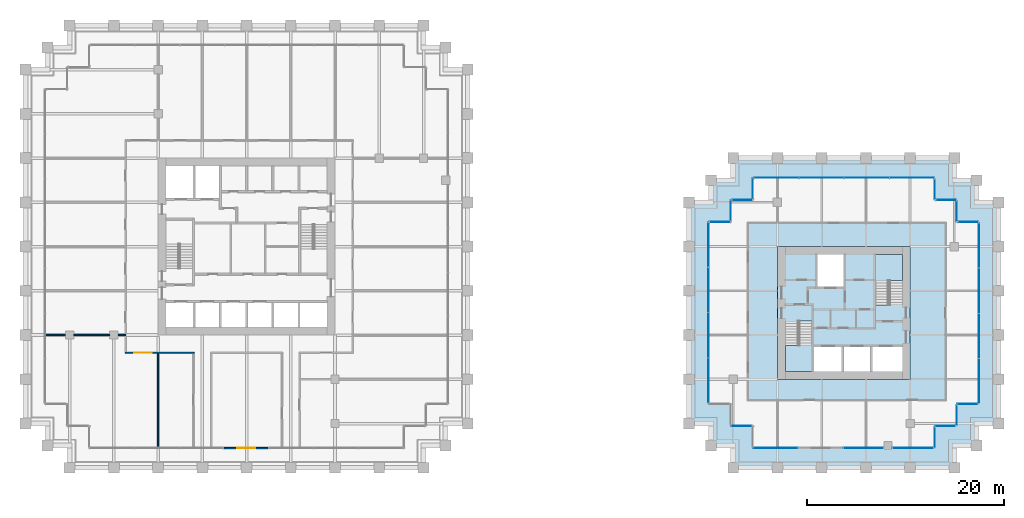
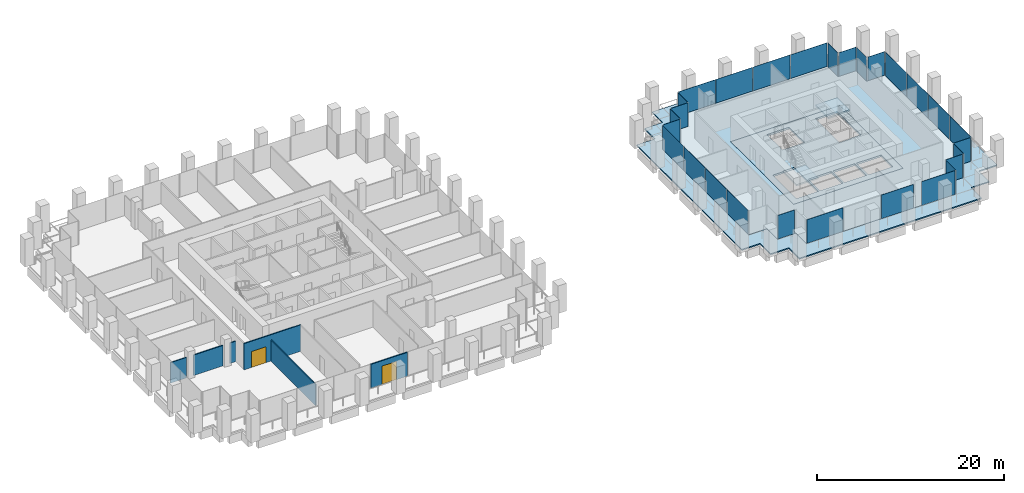
# One storey, part 49 of 56: 28 plates, 6 walls, 5 slabs, 2 doors, 2 openings, 21 elements without a shape of their own.
"""IFC4 building model written with IfcOpenShell, lengths in metres."""

from ifc_helpers import new_model, si_unit, direction, frame, frame_2d, origin, origin_2d, place, context, subcontext, project, spatial, polyline, rectangle, outline, extrude, material, layer, layer_set, type_object, element, fill, aggregate, save


model = new_model("IFC4")

# Units and contexts
model_context = context("Model", 3, precision=1e-05, world=origin(), true_north=direction((0.0, 1.0)))
body_context = subcontext(model_context, "Body", "Model", "MODEL_VIEW")
ifc_project = project(units=[si_unit("LENGTHUNIT", "METRE"), si_unit("AREAUNIT", "SQUARE_METRE"), si_unit("VOLUMEUNIT", "CUBIC_METRE"), si_unit("PLANEANGLEUNIT", "RADIAN"), si_unit("MASSUNIT", "GRAM", prefix="KILO")], contexts=[model_context])

# Site, building, storey
site_placement = place(None, origin())
site = spatial("IfcSite", under=ifc_project, at=site_placement, CompositionType="ELEMENT")
building_placement = place(site_placement, origin())
building = spatial("IfcBuilding", under=site, at=building_placement, Name="Altepetl Exchange Towers", CompositionType="ELEMENT")
storey_placement = place(building_placement, frame((0.0, 0.0, 76.199951171875)))
storey = spatial("IfcBuildingStorey", under=building, at=storey_placement, Name="L18", CompositionType="ELEMENT", Elevation=76.199951171875)

# Slabs
ifc_material_1 = material(Name="Concrete C40/50", Category="concrete")
ifc_layer_1 = layer(ifc_material_1, 0.14990234375)
ifc_layer_set_1 = layer_set([ifc_layer_1], Name="Concrete C40/50")
slab_type_1 = type_object("IfcSlabType", Name="Composite floor slab 150", PredefinedType="FLOOR", material=ifc_layer_set_1)
slab_1_placement = place(storey_placement, frame((0.0, 0.0, -0.14990234375)))
element("IfcSlab", 1, at=slab_1_placement, inside=storey, type_object=slab_type_1, Name="slab:B:L18:strip0", PredefinedType="FLOOR", context=body_context, shape_type="SweptSolid", body=[
    extrude(outline(polyline([(98.75, 54.25), (98.75, 52.0), (96.5, 52.0), (96.5, 33.5), (98.75, 33.5), (98.75, 31.25), (101.0, 31.25), (101.0, 29.0), (119.5, 29.0), (119.5, 31.25), (121.75, 31.25), (121.75, 33.5), (124.0, 33.5), (124.0, 52.0), (121.75, 52.0), (121.75, 54.25), (119.5, 54.25), (119.5, 56.5), (101.0, 56.5), (101.0, 54.25), (98.75, 54.25)]), holes=[polyline([(117.0, 49.5), (117.0, 36.0), (103.5, 36.0), (103.5, 49.5), (117.0, 49.5)])]), origin(), (0.0, 0.0, 1.0), 0.14990234375),
])
ifc_layer_2 = layer(ifc_material_1, 0.25)
ifc_layer_set_2 = layer_set([ifc_layer_2], Name="Concrete C40/50")
slab_type_2 = type_object("IfcSlabType", Name="Core floor slab 250", PredefinedType="FLOOR", material=ifc_layer_set_2)
slab_2_placement = place(storey_placement, frame((0.0, 0.0, -0.25)))
element("IfcSlab", 2, at=slab_2_placement, inside=storey, type_object=slab_type_2, Name="slab:B:L18:core0", PredefinedType="FLOOR", context=body_context, shape_type="SweptSolid", body=[
    extrude(outline(polyline([(103.5, 36.0), (117.0, 36.0), (117.0, 49.5), (103.5, 49.5), (103.5, 36.0)]), holes=[polyline([(107.199951171875, 36.800048828125), (107.199951171875, 39.300048828125), (110.032958984375, 39.300048828125), (110.032958984375, 36.800048828125), (107.199951171875, 36.800048828125)]), polyline([(110.23291015625, 39.300048828125), (112.967041015625, 39.300048828125), (112.967041015625, 36.800048828125), (110.23291015625, 36.800048828125), (110.23291015625, 39.300048828125)]), polyline([(113.1669921875, 39.300048828125), (116.199951171875, 39.300048828125), (116.199951171875, 36.800048828125), (113.1669921875, 36.800048828125), (113.1669921875, 39.300048828125)]), polyline([(107.0, 36.800048828125), (104.300048828125, 36.800048828125), (104.300048828125, 41.85009765625), (105.60009765625, 41.85009765625), (105.60009765625, 41.948974609375), (107.0, 41.948974609375), (107.0, 36.800048828125)]), polyline([(116.199951171875, 48.699951171875), (116.199951171875, 43.64990234375), (114.89990234375, 43.64990234375), (114.89990234375, 43.551025390625), (113.5, 43.551025390625), (113.5, 48.699951171875), (116.199951171875, 48.699951171875)]), polyline([(107.532958984375, 48.699951171875), (110.26708984375, 48.699951171875), (110.26708984375, 45.39990234375), (107.532958984375, 45.39990234375), (107.532958984375, 48.699951171875)])]), origin(), (0.0, 0.0, 1.0), 0.25),
])

# Curtain wall, plate
ifc_material_2 = material(Name="Aluminium 6063-T6 glazing", Category="aluminium")
curtain_wall_type = type_object("IfcCurtainWallType", Name="Loggia glazing system", PredefinedType="NOTDEFINED", material=ifc_material_2)
curtain_wall_1_placement = place(storey_placement, origin())
curtain_wall_1 = element("IfcCurtainWall", 3, at=curtain_wall_1_placement, inside=storey, type_object=curtain_wall_type, Name="CW1 run", PredefinedType="NOTDEFINED")
ifc_material_3 = material(Name="Glass 6-16-6 low emissivity", Category="glass")
ifc_layer_3 = layer(ifc_material_3, 0.028076171875)
ifc_layer_set_3 = layer_set([ifc_layer_3], Name="Glass 6-16-6 low emissivity")
plate_type = type_object("IfcPlateType", Name="Glass panel 28 double glazed", PredefinedType="CURTAIN_PANEL", material=ifc_layer_set_3)
plate_1_placement = place(storey_placement, frame((97.66259765625, 52.0, 0.0), z_axis=(0.0, 0.0, 1.0), x_axis=(-1.0, 0.0, 0.0)))
plate_1 = element("IfcPlate", 4, at=plate_1_placement, type_object=plate_type, Name="GP1 panel", PredefinedType="CURTAIN_PANEL", context=body_context, shape_type="SweptSolid", body=[
    extrude(rectangle(XDim=2.054931640625, YDim=0.028076171875, at=origin_2d()), origin(), (0.0, 0.0, 1.0), 3.10009765625),
])
aggregate(curtain_wall_1, [plate_1])

# Curtain wall, plates
curtain_wall_2_placement = place(storey_placement, origin())
curtain_wall_2 = element("IfcCurtainWall", 5, at=curtain_wall_2_placement, inside=storey, type_object=curtain_wall_type, Name="CW1 run", PredefinedType="NOTDEFINED")
plate_2_placement = place(storey_placement, frame((96.5, 49.681884765625, 0.0), z_axis=(0.0, 0.0, 1.0), x_axis=(0.0, -1.0, 0.0)))
plate_2 = element("IfcPlate", 6, at=plate_2_placement, type_object=plate_type, Name="GP1 panel", PredefinedType="CURTAIN_PANEL", context=body_context, shape_type="SweptSolid", body=[
    extrude(rectangle(XDim=4.516357421875, YDim=0.028076171875, at=origin_2d()), origin(), (0.0, 0.0, 1.0), 3.10009765625),
])
plate_3_placement = place(storey_placement, frame((96.5, 45.090576171875, 0.0), z_axis=(0.0, 0.0, 1.0), x_axis=(0.0, -1.0, 0.0)))
plate_3 = element("IfcPlate", 7, at=plate_3_placement, type_object=plate_type, Name="GP1 panel", PredefinedType="CURTAIN_PANEL", context=body_context, shape_type="SweptSolid", body=[
    extrude(rectangle(XDim=4.546142578125, YDim=0.028076171875, at=origin_2d()), origin(), (0.0, 0.0, 1.0), 3.10009765625),
])
plate_4_placement = place(storey_placement, frame((96.5, 40.484375, 0.0), z_axis=(0.0, 0.0, 1.0), x_axis=(0.0, -1.0, 0.0)))
plate_4 = element("IfcPlate", 8, at=plate_4_placement, type_object=plate_type, Name="GP1 panel", PredefinedType="CURTAIN_PANEL", context=body_context, shape_type="SweptSolid", body=[
    extrude(rectangle(XDim=4.546142578125, YDim=0.028076171875, at=origin_2d()), origin(), (0.0, 0.0, 1.0), 3.10009765625),
])
plate_5_placement = place(storey_placement, frame((96.5, 35.89306640625, 0.0), z_axis=(0.0, 0.0, 1.0), x_axis=(0.0, -1.0, 0.0)))
plate_5 = element("IfcPlate", 9, at=plate_5_placement, type_object=plate_type, Name="GP1 panel", PredefinedType="CURTAIN_PANEL", context=body_context, shape_type="SweptSolid", body=[
    extrude(rectangle(XDim=4.516357421875, YDim=0.028076171875, at=origin_2d()), origin(), (0.0, 0.0, 1.0), 3.10009765625),
])
aggregate(curtain_wall_2, [plate_2, plate_3, plate_4, plate_5])

# Curtain wall, plate
curtain_wall_3_placement = place(storey_placement, origin())
curtain_wall_3 = element("IfcCurtainWall", 10, at=curtain_wall_3_placement, inside=storey, type_object=curtain_wall_type, Name="CW1 run", PredefinedType="NOTDEFINED")
plate_6_placement = place(storey_placement, frame((99.83740234375, 31.25, 0.0)))
plate_6 = element("IfcPlate", 11, at=plate_6_placement, type_object=plate_type, Name="GP1 panel", PredefinedType="CURTAIN_PANEL", context=body_context, shape_type="SweptSolid", body=[
    extrude(rectangle(XDim=2.054931640625, YDim=0.028076171875, at=origin_2d()), origin(), (0.0, 0.0, 1.0), 3.10009765625),
])
aggregate(curtain_wall_3, [plate_6])

curtain_wall_4_placement = place(storey_placement, origin())
curtain_wall_4 = element("IfcCurtainWall", 12, at=curtain_wall_4_placement, inside=storey, type_object=curtain_wall_type, Name="CW1 run", PredefinedType="NOTDEFINED")
plate_7_placement = place(storey_placement, frame((103.30322265625, 29.0, 0.0)))
plate_7 = element("IfcPlate", 13, at=plate_7_placement, type_object=plate_type, Name="GP1 panel", PredefinedType="CURTAIN_PANEL", context=body_context, shape_type="SweptSolid", body=[
    extrude(rectangle(XDim=4.486328125, YDim=0.028076171875, at=origin_2d()), origin(), (0.0, 0.0, 1.0), 3.10009765625),
])
aggregate(curtain_wall_4, [plate_7])

curtain_wall_5_placement = place(storey_placement, origin())
curtain_wall_5 = element("IfcCurtainWall", 14, at=curtain_wall_5_placement, inside=storey, type_object=curtain_wall_type, Name="CW1 run", PredefinedType="NOTDEFINED")
plate_8_placement = place(storey_placement, frame((112.2587890625, 29.0, 0.0)))
plate_8 = element("IfcPlate", 15, at=plate_8_placement, type_object=plate_type, Name="GP1 panel", PredefinedType="CURTAIN_PANEL", context=body_context, shape_type="SweptSolid", body=[
    extrude(rectangle(XDim=3.972412109375, YDim=0.028076171875, at=origin_2d()), origin(), (0.0, 0.0, 1.0), 3.10009765625),
])
aggregate(curtain_wall_5, [plate_8])

curtain_wall_6_placement = place(storey_placement, origin())
curtain_wall_6 = element("IfcCurtainWall", 16, at=curtain_wall_6_placement, inside=storey, type_object=curtain_wall_type, Name="CW1 run", PredefinedType="NOTDEFINED")
plate_9_placement = place(storey_placement, frame((117.31005859375, 29.0, 0.0)))
plate_9 = element("IfcPlate", 17, at=plate_9_placement, type_object=plate_type, Name="GP1 panel", PredefinedType="CURTAIN_PANEL", context=body_context, shape_type="SweptSolid", body=[
    extrude(rectangle(XDim=4.110107421875, YDim=0.028076171875, at=origin_2d()), origin(), (0.0, 0.0, 1.0), 3.10009765625),
])
aggregate(curtain_wall_6, [plate_9])

curtain_wall_7_placement = place(storey_placement, origin())
curtain_wall_7 = element("IfcCurtainWall", 18, at=curtain_wall_7_placement, inside=storey, type_object=curtain_wall_type, Name="CW1 run", PredefinedType="NOTDEFINED")
plate_10_placement = place(storey_placement, frame((119.5, 30.08740234375, 0.0), z_axis=(0.0, 0.0, 1.0), x_axis=(0.0, 1.0, 0.0)))
plate_10 = element("IfcPlate", 19, at=plate_10_placement, type_object=plate_type, Name="GP1 panel", PredefinedType="CURTAIN_PANEL", context=body_context, shape_type="SweptSolid", body=[
    extrude(rectangle(XDim=2.054931640625, YDim=0.028076171875, at=origin_2d()), origin(), (0.0, 0.0, 1.0), 3.10009765625),
])
aggregate(curtain_wall_7, [plate_10])

curtain_wall_8_placement = place(storey_placement, origin())
curtain_wall_8 = element("IfcCurtainWall", 20, at=curtain_wall_8_placement, inside=storey, type_object=curtain_wall_type, Name="CW1 run", PredefinedType="NOTDEFINED")
plate_11_placement = place(storey_placement, frame((120.58740234375, 31.25, 0.0)))
plate_11 = element("IfcPlate", 21, at=plate_11_placement, type_object=plate_type, Name="GP1 panel", PredefinedType="CURTAIN_PANEL", context=body_context, shape_type="SweptSolid", body=[
    extrude(rectangle(XDim=2.054931640625, YDim=0.028076171875, at=origin_2d()), origin(), (0.0, 0.0, 1.0), 3.10009765625),
])
aggregate(curtain_wall_8, [plate_11])

curtain_wall_9_placement = place(storey_placement, origin())
curtain_wall_9 = element("IfcCurtainWall", 22, at=curtain_wall_9_placement, inside=storey, type_object=curtain_wall_type, Name="CW1 run", PredefinedType="NOTDEFINED")
plate_12_placement = place(storey_placement, frame((121.75, 32.33740234375, 0.0), z_axis=(0.0, 0.0, 1.0), x_axis=(0.0, 1.0, 0.0)))
plate_12 = element("IfcPlate", 23, at=plate_12_placement, type_object=plate_type, Name="GP1 panel", PredefinedType="CURTAIN_PANEL", context=body_context, shape_type="SweptSolid", body=[
    extrude(rectangle(XDim=2.054931640625, YDim=0.028076171875, at=origin_2d()), origin(), (0.0, 0.0, 1.0), 3.10009765625),
])
aggregate(curtain_wall_9, [plate_12])

curtain_wall_10_placement = place(storey_placement, origin())
curtain_wall_10 = element("IfcCurtainWall", 24, at=curtain_wall_10_placement, inside=storey, type_object=curtain_wall_type, Name="CW1 run", PredefinedType="NOTDEFINED")
plate_13_placement = place(storey_placement, frame((122.83740234375, 33.5, 0.0)))
plate_13 = element("IfcPlate", 25, at=plate_13_placement, type_object=plate_type, Name="GP1 panel", PredefinedType="CURTAIN_PANEL", context=body_context, shape_type="SweptSolid", body=[
    extrude(rectangle(XDim=2.054931640625, YDim=0.028076171875, at=origin_2d()), origin(), (0.0, 0.0, 1.0), 3.10009765625),
])
aggregate(curtain_wall_10, [plate_13])

# Curtain wall, plates
curtain_wall_11_placement = place(storey_placement, origin())
curtain_wall_11 = element("IfcCurtainWall", 26, at=curtain_wall_11_placement, inside=storey, type_object=curtain_wall_type, Name="CW1 run", PredefinedType="NOTDEFINED")
plate_14_placement = place(storey_placement, frame((124.0, 35.818115234375, 0.0), z_axis=(0.0, 0.0, 1.0), x_axis=(0.0, 1.0, 0.0)))
plate_14 = element("IfcPlate", 27, at=plate_14_placement, type_object=plate_type, Name="GP1 panel", PredefinedType="CURTAIN_PANEL", context=body_context, shape_type="SweptSolid", body=[
    extrude(rectangle(XDim=4.516357421875, YDim=0.028076171875, at=origin_2d()), origin(), (0.0, 0.0, 1.0), 3.10009765625),
])
plate_15_placement = place(storey_placement, frame((124.0, 40.409423828125, 0.0), z_axis=(0.0, 0.0, 1.0), x_axis=(0.0, 1.0, 0.0)))
plate_15 = element("IfcPlate", 28, at=plate_15_placement, type_object=plate_type, Name="GP1 panel", PredefinedType="CURTAIN_PANEL", context=body_context, shape_type="SweptSolid", body=[
    extrude(rectangle(XDim=4.546142578125, YDim=0.028076171875, at=origin_2d()), origin(), (0.0, 0.0, 1.0), 3.10009765625),
])
plate_16_placement = place(storey_placement, frame((124.0, 45.015625, 0.0), z_axis=(0.0, 0.0, 1.0), x_axis=(0.0, 1.0, 0.0)))
plate_16 = element("IfcPlate", 29, at=plate_16_placement, type_object=plate_type, Name="GP1 panel", PredefinedType="CURTAIN_PANEL", context=body_context, shape_type="SweptSolid", body=[
    extrude(rectangle(XDim=4.546142578125, YDim=0.028076171875, at=origin_2d()), origin(), (0.0, 0.0, 1.0), 3.10009765625),
])
plate_17_placement = place(storey_placement, frame((124.0, 49.60693359375, 0.0), z_axis=(0.0, 0.0, 1.0), x_axis=(0.0, 1.0, 0.0)))
plate_17 = element("IfcPlate", 30, at=plate_17_placement, type_object=plate_type, Name="GP1 panel", PredefinedType="CURTAIN_PANEL", context=body_context, shape_type="SweptSolid", body=[
    extrude(rectangle(XDim=4.516357421875, YDim=0.028076171875, at=origin_2d()), origin(), (0.0, 0.0, 1.0), 3.10009765625),
])
aggregate(curtain_wall_11, [plate_14, plate_15, plate_16, plate_17])

# Curtain wall, plate
curtain_wall_12_placement = place(storey_placement, origin())
curtain_wall_12 = element("IfcCurtainWall", 31, at=curtain_wall_12_placement, inside=storey, type_object=curtain_wall_type, Name="CW1 run", PredefinedType="NOTDEFINED")
plate_18_placement = place(storey_placement, frame((122.91259765625, 52.0, 0.0), z_axis=(0.0, 0.0, 1.0), x_axis=(-1.0, 0.0, 0.0)))
plate_18 = element("IfcPlate", 32, at=plate_18_placement, type_object=plate_type, Name="GP1 panel", PredefinedType="CURTAIN_PANEL", context=body_context, shape_type="SweptSolid", body=[
    extrude(rectangle(XDim=2.054931640625, YDim=0.028076171875, at=origin_2d()), origin(), (0.0, 0.0, 1.0), 3.10009765625),
])
aggregate(curtain_wall_12, [plate_18])

curtain_wall_13_placement = place(storey_placement, origin())
curtain_wall_13 = element("IfcCurtainWall", 33, at=curtain_wall_13_placement, inside=storey, type_object=curtain_wall_type, Name="CW1 run", PredefinedType="NOTDEFINED")
plate_19_placement = place(storey_placement, frame((121.75, 53.08740234375, 0.0), z_axis=(0.0, 0.0, 1.0), x_axis=(0.0, 1.0, 0.0)))
plate_19 = element("IfcPlate", 34, at=plate_19_placement, type_object=plate_type, Name="GP1 panel", PredefinedType="CURTAIN_PANEL", context=body_context, shape_type="SweptSolid", body=[
    extrude(rectangle(XDim=2.054931640625, YDim=0.028076171875, at=origin_2d()), origin(), (0.0, 0.0, 1.0), 3.10009765625),
])
aggregate(curtain_wall_13, [plate_19])

curtain_wall_14_placement = place(storey_placement, origin())
curtain_wall_14 = element("IfcCurtainWall", 35, at=curtain_wall_14_placement, inside=storey, type_object=curtain_wall_type, Name="CW1 run", PredefinedType="NOTDEFINED")
plate_20_placement = place(storey_placement, frame((120.66259765625, 54.25, 0.0), z_axis=(0.0, 0.0, 1.0), x_axis=(-1.0, 0.0, 0.0)))
plate_20 = element("IfcPlate", 36, at=plate_20_placement, type_object=plate_type, Name="GP1 panel", PredefinedType="CURTAIN_PANEL", context=body_context, shape_type="SweptSolid", body=[
    extrude(rectangle(XDim=2.054931640625, YDim=0.028076171875, at=origin_2d()), origin(), (0.0, 0.0, 1.0), 3.10009765625),
])
aggregate(curtain_wall_14, [plate_20])

curtain_wall_15_placement = place(storey_placement, origin())
curtain_wall_15 = element("IfcCurtainWall", 37, at=curtain_wall_15_placement, inside=storey, type_object=curtain_wall_type, Name="CW1 run", PredefinedType="NOTDEFINED")
plate_21_placement = place(storey_placement, frame((119.5, 55.33740234375, 0.0), z_axis=(0.0, 0.0, 1.0), x_axis=(0.0, 1.0, 0.0)))
plate_21 = element("IfcPlate", 38, at=plate_21_placement, type_object=plate_type, Name="GP1 panel", PredefinedType="CURTAIN_PANEL", context=body_context, shape_type="SweptSolid", body=[
    extrude(rectangle(XDim=2.054931640625, YDim=0.028076171875, at=origin_2d()), origin(), (0.0, 0.0, 1.0), 3.10009765625),
])
aggregate(curtain_wall_15, [plate_21])

# Curtain wall, plates
curtain_wall_16_placement = place(storey_placement, origin())
curtain_wall_16 = element("IfcCurtainWall", 39, at=curtain_wall_16_placement, inside=storey, type_object=curtain_wall_type, Name="CW1 run", PredefinedType="NOTDEFINED")
plate_22_placement = place(storey_placement, frame((117.181884765625, 56.5, 0.0), z_axis=(0.0, 0.0, 1.0), x_axis=(-1.0, 0.0, 0.0)))
plate_22 = element("IfcPlate", 40, at=plate_22_placement, type_object=plate_type, Name="GP1 panel", PredefinedType="CURTAIN_PANEL", context=body_context, shape_type="SweptSolid", body=[
    extrude(rectangle(XDim=4.516357421875, YDim=0.028076171875, at=origin_2d()), origin(), (0.0, 0.0, 1.0), 3.10009765625),
])
plate_23_placement = place(storey_placement, frame((112.590576171875, 56.5, 0.0), z_axis=(0.0, 0.0, 1.0), x_axis=(-1.0, 0.0, 0.0)))
plate_23 = element("IfcPlate", 41, at=plate_23_placement, type_object=plate_type, Name="GP1 panel", PredefinedType="CURTAIN_PANEL", context=body_context, shape_type="SweptSolid", body=[
    extrude(rectangle(XDim=4.546142578125, YDim=0.028076171875, at=origin_2d()), origin(), (0.0, 0.0, 1.0), 3.10009765625),
])
plate_24_placement = place(storey_placement, frame((107.984375, 56.5, 0.0), z_axis=(0.0, 0.0, 1.0), x_axis=(-1.0, 0.0, 0.0)))
plate_24 = element("IfcPlate", 42, at=plate_24_placement, type_object=plate_type, Name="GP1 panel", PredefinedType="CURTAIN_PANEL", context=body_context, shape_type="SweptSolid", body=[
    extrude(rectangle(XDim=4.546142578125, YDim=0.028076171875, at=origin_2d()), origin(), (0.0, 0.0, 1.0), 3.10009765625),
])
plate_25_placement = place(storey_placement, frame((103.39306640625, 56.5, 0.0), z_axis=(0.0, 0.0, 1.0), x_axis=(-1.0, 0.0, 0.0)))
plate_25 = element("IfcPlate", 43, at=plate_25_placement, type_object=plate_type, Name="GP1 panel", PredefinedType="CURTAIN_PANEL", context=body_context, shape_type="SweptSolid", body=[
    extrude(rectangle(XDim=4.516357421875, YDim=0.028076171875, at=origin_2d()), origin(), (0.0, 0.0, 1.0), 3.10009765625),
])
aggregate(curtain_wall_16, [plate_22, plate_23, plate_24, plate_25])

# Curtain wall, plate
curtain_wall_17_placement = place(storey_placement, origin())
curtain_wall_17 = element("IfcCurtainWall", 44, at=curtain_wall_17_placement, inside=storey, type_object=curtain_wall_type, Name="CW1 run", PredefinedType="NOTDEFINED")
plate_26_placement = place(storey_placement, frame((101.0, 55.41259765625, 0.0), z_axis=(0.0, 0.0, 1.0), x_axis=(0.0, -1.0, 0.0)))
plate_26 = element("IfcPlate", 45, at=plate_26_placement, type_object=plate_type, Name="GP1 panel", PredefinedType="CURTAIN_PANEL", context=body_context, shape_type="SweptSolid", body=[
    extrude(rectangle(XDim=2.054931640625, YDim=0.028076171875, at=origin_2d()), origin(), (0.0, 0.0, 1.0), 3.10009765625),
])
aggregate(curtain_wall_17, [plate_26])

curtain_wall_18_placement = place(storey_placement, origin())
curtain_wall_18 = element("IfcCurtainWall", 46, at=curtain_wall_18_placement, inside=storey, type_object=curtain_wall_type, Name="CW1 run", PredefinedType="NOTDEFINED")
plate_27_placement = place(storey_placement, frame((99.91259765625, 54.25, 0.0), z_axis=(0.0, 0.0, 1.0), x_axis=(-1.0, 0.0, 0.0)))
plate_27 = element("IfcPlate", 47, at=plate_27_placement, type_object=plate_type, Name="GP1 panel", PredefinedType="CURTAIN_PANEL", context=body_context, shape_type="SweptSolid", body=[
    extrude(rectangle(XDim=2.054931640625, YDim=0.028076171875, at=origin_2d()), origin(), (0.0, 0.0, 1.0), 3.10009765625),
])
aggregate(curtain_wall_18, [plate_27])

curtain_wall_19_placement = place(storey_placement, origin())
curtain_wall_19 = element("IfcCurtainWall", 48, at=curtain_wall_19_placement, inside=storey, type_object=curtain_wall_type, Name="CW1 run", PredefinedType="NOTDEFINED")
plate_28_placement = place(storey_placement, frame((98.75, 53.16259765625, 0.0), z_axis=(0.0, 0.0, 1.0), x_axis=(0.0, -1.0, 0.0)))
plate_28 = element("IfcPlate", 49, at=plate_28_placement, type_object=plate_type, Name="GP1 panel", PredefinedType="CURTAIN_PANEL", context=body_context, shape_type="SweptSolid", body=[
    extrude(rectangle(XDim=2.054931640625, YDim=0.028076171875, at=origin_2d()), origin(), (0.0, 0.0, 1.0), 3.10009765625),
])
aggregate(curtain_wall_19, [plate_28])

# Slab
ifc_layer_4 = layer(ifc_material_1, 0.14990234375)
ifc_layer_set_4 = layer_set([ifc_layer_4], Name="Concrete C40/50")
slab_type_3 = type_object("IfcSlabType", Name="Loggia slab 150", PredefinedType="FLOOR", material=ifc_layer_set_4)
slab_3_placement = place(storey_placement, frame((0.0, 0.0, -0.14990234375)))
element("IfcSlab", 50, at=slab_3_placement, inside=storey, type_object=slab_type_3, Name="slab:B:L18:loggia0", PredefinedType="FLOOR", context=body_context, shape_type="SweptSolid", body=[
    extrude(outline(polyline([(96.75, 54.0), (94.5, 54.0), (94.5, 36.0), (94.5, 31.5), (96.75, 31.5), (96.75, 29.25), (99.0, 29.25), (99.0, 27.0), (117.0, 27.0), (121.5, 27.0), (121.5, 29.25), (123.75, 29.25), (123.75, 31.5), (126.0, 31.5), (126.0, 49.5), (126.0, 54.0), (123.75, 54.0), (123.75, 56.25), (121.5, 56.25), (121.5, 58.5), (103.5, 58.5), (99.0, 58.5), (99.0, 56.25), (96.75, 56.25), (96.75, 54.0)]), holes=[polyline([(96.5, 52.0), (98.75, 52.0), (98.75, 54.25), (101.0, 54.25), (101.0, 56.5), (119.5, 56.5), (119.5, 54.25), (121.75, 54.25), (121.75, 52.0), (124.0, 52.0), (124.0, 33.5), (121.75, 33.5), (121.75, 31.25), (119.5, 31.25), (119.5, 29.0), (101.0, 29.0), (101.0, 31.25), (98.75, 31.25), (98.75, 33.5), (96.5, 33.5), (96.5, 52.0)])]), origin(), (0.0, 0.0, 1.0), 0.14990234375),
])

# Stair, slab
stair_type = type_object("IfcStairType", Name="Exit stair 1300 flights dogleg", PredefinedType="HALF_TURN_STAIR", material=ifc_material_1)
stair_1_placement = place(storey_placement, origin())
stair_1 = element("IfcStair", 51, at=stair_1_placement, inside=storey, type_object=stair_type, Name="Exit stair 1", PredefinedType="HALF_TURN_STAIR")
ifc_layer_5 = layer(ifc_material_1, 0.199951171875)
ifc_layer_set_5 = layer_set([ifc_layer_5], Name="Concrete C40/50")
slab_type_4 = type_object("IfcSlabType", Name="Stair landing 200 reinforced concrete", PredefinedType="LANDING", material=ifc_layer_set_5)
slab_4_placement = place(storey_placement, frame((0.0, 0.0, 1.60009765625)))
slab_4 = element("IfcSlab", 52, at=slab_4_placement, type_object=slab_type_4, Name="ST-B1c landing 1", PredefinedType="LANDING", context=body_context, shape_type="SweptSolid", body=[
    extrude(outline(polyline([(107.0, 36.800048828125), (104.300048828125, 36.800048828125), (104.300048828125, 39.429931640625), (104.300048828125, 39.4306640625), (105.60009765625, 39.4306640625), (105.60009765625, 39.429931640625), (105.699951171875, 39.429931640625), (105.699951171875, 39.530029296875), (107.0, 39.530029296875), (107.0, 39.429931640625), (107.0, 36.800048828125)])), origin(), (0.0, 0.0, 1.0), 0.199951171875),
])
aggregate(stair_1, [slab_4])

stair_2_placement = place(storey_placement, origin())
stair_2 = element("IfcStair", 53, at=stair_2_placement, inside=storey, type_object=stair_type, Name="Exit stair 2", PredefinedType="HALF_TURN_STAIR")
slab_5_placement = place(storey_placement, frame((0.0, 0.0, 1.60009765625)))
slab_5 = element("IfcSlab", 54, at=slab_5_placement, type_object=slab_type_4, Name="ST-B2c landing 1", PredefinedType="LANDING", context=body_context, shape_type="SweptSolid", body=[
    extrude(outline(polyline([(114.800048828125, 45.969970703125), (113.5, 45.969970703125), (113.5, 46.070068359375), (113.5, 48.699951171875), (116.199951171875, 48.699951171875), (116.199951171875, 46.070068359375), (116.199951171875, 46.0693359375), (114.89990234375, 46.0693359375), (114.89990234375, 46.070068359375), (114.800048828125, 46.070068359375), (114.800048828125, 45.969970703125)])), origin(), (0.0, 0.0, 1.0), 0.199951171875),
])
aggregate(stair_2, [slab_5])

# Wall, opening, door
ifc_material_4 = material(Name="Aluminium composite cladding", Category="aluminium")
ifc_layer_6 = layer(ifc_material_4, 0.14990234375)
ifc_layer_set_6 = layer_set([ifc_layer_6], Name="Aluminium composite cladding")
wall_type_1 = type_object("IfcWallType", Name="Infill wall 150 aluminium panel", PredefinedType="SOLIDWALL", material=ifc_layer_set_6)
wall_1_placement = place(storey_placement, frame((47.18212890625, 29.0, 0.0)))
wall_1 = element("IfcWall", 55, at=wall_1_placement, inside=storey, type_object=wall_type_1, Name="Loggia door bay wall", PredefinedType="SOLIDWALL", context=body_context, shape_type="SweptSolid", body=[
    extrude(rectangle(XDim=4.560791015625, YDim=0.14990234375, at=frame_2d((2.2802734375, 0.0))), origin(), (0.0, 0.0, 1.0), 3.10009765625),
])
opening_1_placement = place(wall_1_placement, frame((1.38037109375, 0.0, 0.0)))
opening_1 = element("IfcOpeningElement", 56, at=opening_1_placement, cuts=wall_1, Name="Opening L18.A90", PredefinedType="OPENING", context=body_context, shape_type="SweptSolid", body=[
    extrude(rectangle(XDim=1.800048828125, YDim=2.39990234375, at=frame_2d((0.89990234375, 1.199951171875))), frame((0.0, 0.0849609375, 0.0), z_axis=(0.0, -1.0, 0.0), x_axis=(1.0, 0.0, 0.0)), (0.0, 0.0, 1.0), 0.169921875),
])
ifc_material_5 = material(Name="Aluminium 6063-T6 and glass", Category="aluminium")
door_type_1 = type_object("IfcDoorType", Name="Glazed door pair 1800x2400", OperationType="DOUBLE_DOOR_DOUBLE_SWING", PredefinedType="NOTDEFINED", material=ifc_material_5)
door_1_placement = place(opening_1_placement, frame((1.800048828125, 0.0, 0.0), x_axis=(-1.0, 0.0, 0.0)))
door_1 = element("IfcDoor", 57, at=door_1_placement, inside=storey, type_object=door_type_1, Name="Loggia door", OperationType="DOUBLE_DOOR_DOUBLE_SWING", OverallHeight=2.39990234375, OverallWidth=1.800048828125, PredefinedType="NOTDEFINED", context=body_context, shape_type="SweptSolid", body=[
    extrude(rectangle(XDim=1.800048828125, YDim=2.39990234375, at=frame_2d((0.89990234375, 1.199951171875))), frame((0.0, 0.02490234375, 0.0), z_axis=(0.0, -1.0, 0.0), x_axis=(1.0, 0.0, 0.0)), (0.0, 0.0, 1.0), 0.050048828125),
])
fill(opening_1, door_1)

ifc_material_6 = material(Name="Gypsum board on steel studs", Category="steel")
ifc_layer_7 = layer(ifc_material_6, 0.125)
ifc_layer_set_7 = layer_set([ifc_layer_7], Name="Gypsum board on steel studs")
wall_type_2 = type_object("IfcWallType", Name="Partition 125 gypsum board on steel studs", PredefinedType="PARTITIONING", material=ifc_layer_set_7)
wall_2_placement = place(storey_placement, frame((37.137451171875, 38.699951171875, 0.0)))
wall_2 = element("IfcWall", 58, at=wall_2_placement, inside=storey, type_object=wall_type_2, Name="wall:A:L18:P03", PredefinedType="PARTITIONING", context=body_context, shape_type="SweptSolid", body=[
    extrude(rectangle(XDim=7.025146484375, YDim=0.125, at=frame_2d((3.5126953125, 0.0))), origin(), (0.0, 0.0, 1.0), 3.449951171875),
])
opening_2_placement = place(wall_2_placement, frame((0.91748046875, 0.0, 0.0)))
opening_2 = element("IfcOpeningElement", 59, at=opening_2_placement, cuts=wall_2, Name="Opening L18.A03", PredefinedType="OPENING", context=body_context, shape_type="SweptSolid", body=[
    extrude(rectangle(XDim=1.800048828125, YDim=2.10009765625, at=frame_2d((0.89990234375, 1.050048828125))), frame((0.0, 0.072509765625, 0.0), z_axis=(0.0, -1.0, 0.0), x_axis=(1.0, 0.0, 0.0)), (0.0, 0.0, 1.0), 0.14501953125),
])
ifc_material_7 = material(Name="Steel and timber fire door", Category="steel")
door_type_2 = type_object("IfcDoorType", Name="Fire door 1800 x 2100 double leaf", OperationType="DOUBLE_DOOR_SINGLE_SWING", PredefinedType="DOOR", material=ifc_material_7)
door_2_placement = place(opening_2_placement, frame((1.800048828125, 0.0, 0.0), x_axis=(-1.0, 0.0, 0.0)))
door_2 = element("IfcDoor", 60, at=door_2_placement, inside=storey, type_object=door_type_2, Name="door:A:L18:03", OperationType="DOUBLE_DOOR_SINGLE_SWING", OverallHeight=2.10009765625, OverallWidth=1.800048828125, PredefinedType="DOOR", context=body_context, shape_type="SweptSolid", body=[
    extrude(rectangle(XDim=1.800048828125, YDim=2.10009765625, at=frame_2d((0.89990234375, 1.050048828125))), frame((0.0, 0.02490234375, 0.0), z_axis=(0.0, -1.0, 0.0), x_axis=(1.0, 0.0, 0.0)), (0.0, 0.0, 1.0), 0.050048828125),
])
fill(opening_2, door_2)

# Walls
wall_3_placement = place(storey_placement, frame((29.10009765625, 40.5, 0.0)))
element("IfcWall", 61, at=wall_3_placement, inside=storey, type_object=wall_type_2, Name="wall:A:L18:P06", PredefinedType="PARTITIONING", context=body_context, shape_type="SweptSolid", body=[
    extrude(rectangle(XDim=1.974853515625, YDim=0.125, at=frame_2d((0.9873046875, 0.0))), origin(), (0.0, 0.0, 1.0), 2.676025390625),
])
wall_4_placement = place(storey_placement, frame((31.925048828125, 40.5, 0.0)))
element("IfcWall", 62, at=wall_4_placement, inside=storey, type_object=wall_type_2, Name="wall:A:L18:P07", PredefinedType="PARTITIONING", context=body_context, shape_type="SweptSolid", body=[
    extrude(rectangle(XDim=3.64990234375, YDim=0.125, at=frame_2d((1.824951171875, 0.0))), origin(), (0.0, 0.0, 1.0), 2.676025390625),
])
wall_5_placement = place(storey_placement, frame((36.425048828125, 40.5, 0.0)))
element("IfcWall", 63, at=wall_5_placement, inside=storey, type_object=wall_type_2, Name="wall:A:L18:P08", PredefinedType="PARTITIONING", context=body_context, shape_type="SweptSolid", body=[
    extrude(rectangle(XDim=0.77490234375, YDim=0.125, at=frame_2d((0.387451171875, 0.0))), origin(), (0.0, 0.0, 1.0), 2.676025390625),
])
wall_6_placement = place(storey_placement, frame((40.5, 29.10009765625, 0.0), z_axis=(0.0, 0.0, 1.0), x_axis=(0.0, 1.0, 0.0)))
element("IfcWall", 64, at=wall_6_placement, inside=storey, type_object=wall_type_2, Name="wall:A:L18:P22", PredefinedType="PARTITIONING", context=body_context, shape_type="SweptSolid", body=[
    extrude(rectangle(XDim=9.599853515625, YDim=0.125, at=frame_2d((4.7998046875, 0.0))), origin(), (0.0, 0.0, 1.0), 2.76611328125),
])

save(model, "model.ifc")
